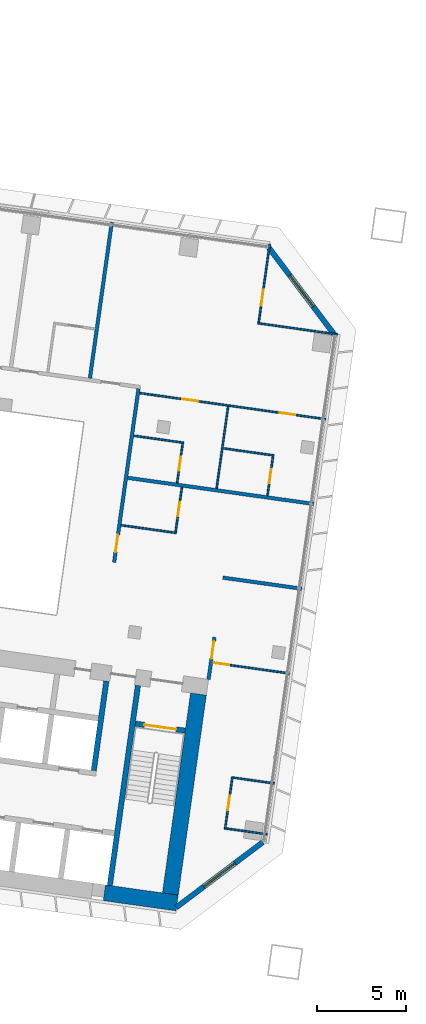
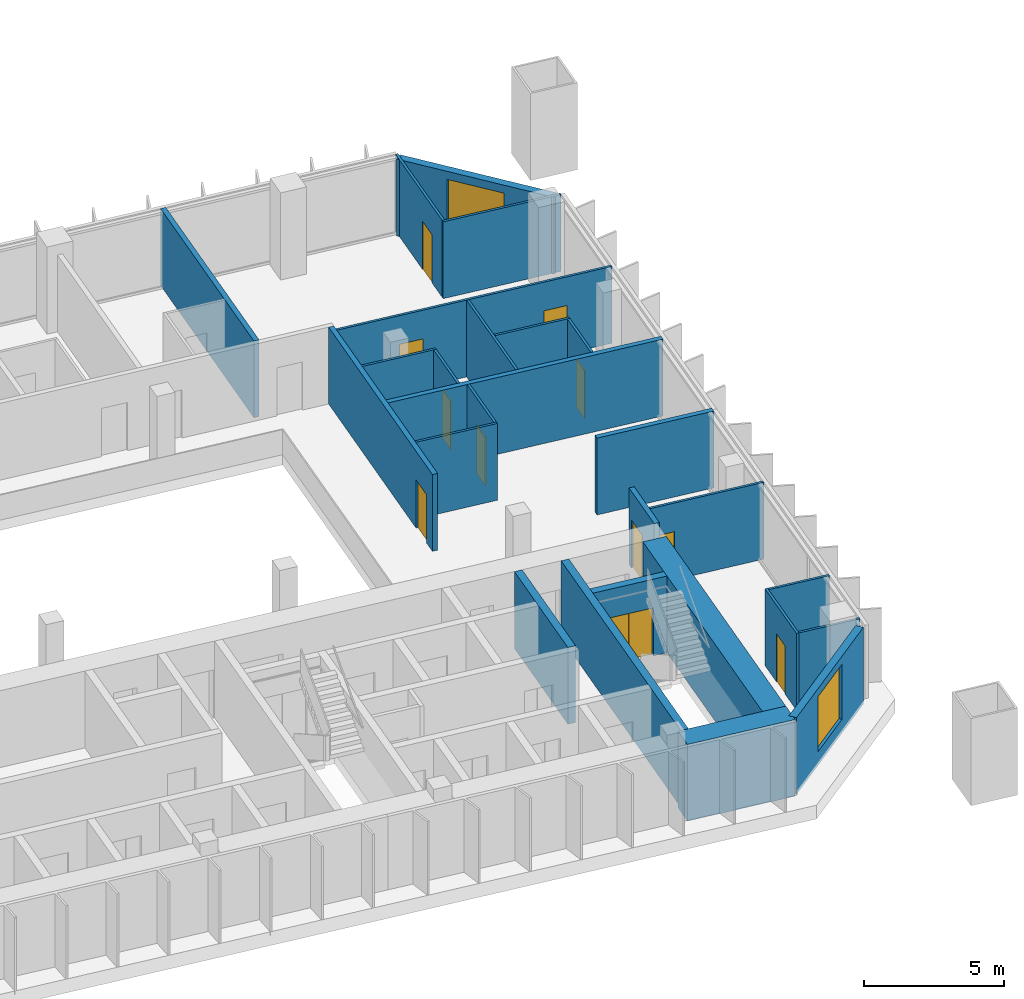
# One storey, part 17 of 24: 26 walls, 11 doors, 2 windows, 13 openings.
"""IFC4 building model written with IfcOpenShell, lengths in metres."""

from ifc_helpers import new_model, si_unit, direction, frame, frame_2d, origin, place, context, subcontext, project, spatial, rectangle, extrude, material, layer, layer_set, type_object, element, fill, save


model = new_model("IFC4")

# Units and contexts
model_context = context("Model", 3, precision=1e-05, world=origin(), true_north=direction((0.0, 1.0)))
body_context = subcontext(model_context, "Body", "Model", "MODEL_VIEW")
ifc_project = project(units=[si_unit("LENGTHUNIT", "METRE"), si_unit("AREAUNIT", "SQUARE_METRE"), si_unit("VOLUMEUNIT", "CUBIC_METRE"), si_unit("PLANEANGLEUNIT", "RADIAN"), si_unit("MASSUNIT", "GRAM", prefix="KILO")], contexts=[model_context])

# Site, building, storey
site_placement = place(None, origin())
site = spatial("IfcSite", under=ifc_project, at=site_placement, CompositionType="ELEMENT")
building_placement = place(site_placement, origin())
building = spatial("IfcBuilding", under=site, at=building_placement, Name="Mirante Cascada Hotel Towers", CompositionType="ELEMENT")
storey_placement = place(building_placement, frame((0.0, 0.0, 47.1)))
storey = spatial("IfcBuildingStorey", under=building, at=storey_placement, Name="L08", CompositionType="ELEMENT", Elevation=47.1)

# Walls
ifc_material_1 = material(Name="Fire-rated plasterboard on metal studs")
ifc_layer_1 = layer(ifc_material_1, 0.2)
ifc_layer_set_1 = layer_set([ifc_layer_1], Name="Compartment wall 200 EI 120")
wall_type_1 = type_object("IfcWallType", Name="Compartment wall 200 EI 120", PredefinedType="PARTITIONING", material=ifc_layer_set_1)
wall_1_placement = place(storey_placement, frame((-34.4562, -1.3737, 0.0), z_axis=(0.0, 0.0, 1.0), x_axis=(0.9902674, -0.1391779, 0.0)))
element("IfcWall", 1, at=wall_1_placement, inside=storey, type_object=wall_type_1, Name="Wall 1-L08-08", PredefinedType="PARTITIONING", context=body_context, shape_type="SweptSolid", body=[
    extrude(rectangle(XDim=4.5, YDim=0.2, at=frame_2d((2.25, 0.0))), origin(), (0.0, 0.0, 1.0), 3.35),
])
wall_2_placement = place(storey_placement, frame((-29.3273, 2.7863, 0.0), z_axis=(0.0, 0.0, 1.0), x_axis=(-0.9902686, 0.1391691, 0.0)))
element("IfcWall", 2, at=wall_2_placement, inside=storey, type_object=wall_type_1, Name="Wall 1-L08-13", PredefinedType="PARTITIONING", context=body_context, shape_type="SweptSolid", body=[
    extrude(rectangle(XDim=10.6001, YDim=0.2, at=frame_2d((5.3, 0.0))), origin(), (0.0, 0.0, 1.0), 3.35),
])

# Wall, opening, door
wall_3_placement = place(storey_placement, frame((-35.2634, -7.1173, 0.0), z_axis=(0.0, 0.0, 1.0), x_axis=(0.1391635, 0.9902694, 0.0)))
wall_3 = element("IfcWall", 3, at=wall_3_placement, inside=storey, type_object=wall_type_1, Name="Wall 1-L08-29", PredefinedType="PARTITIONING", context=body_context, shape_type="SweptSolid", body=[
    extrude(rectangle(XDim=2.4001, YDim=0.2, at=frame_2d((1.2, 0.0))), origin(), (0.0, 0.0, 1.0), 3.35),
])
opening_1_placement = place(wall_3_placement, frame((1.1833, 0.0, 0.0)))
opening_1 = element("IfcOpeningElement", 4, at=opening_1_placement, cuts=wall_3, Name="Opening D1-L08-29", PredefinedType="OPENING", context=body_context, shape_type="SweptSolid", body=[
    extrude(rectangle(XDim=1.0, YDim=2.1, at=frame_2d((0.5, 1.05))), frame((0.0, 0.1, 0.0), z_axis=(0.0, -1.0, 0.0), x_axis=(1.0, 0.0, 0.0)), (0.0, 0.0, 1.0), 0.2),
])
ifc_material_2 = material(Name="Fire-rated timber door leaf", Category="wood")
door_type_1 = type_object("IfcDoorType", Name="Entrance door DG1 1000x2100 EI 60", OperationType="SINGLE_SWING_LEFT", PredefinedType="DOOR", material=ifc_material_2)
door_1_placement = place(opening_1_placement, frame((1.0, 0.0, 0.0), z_axis=(0.0, 0.0, 1.0), x_axis=(-1.0, 0.0, 0.0)))
door_1 = element("IfcDoor", 5, at=door_1_placement, inside=storey, type_object=door_type_1, Name="Door D1-L08-29", OperationType="SINGLE_SWING_RIGHT", OverallHeight=2.1, OverallWidth=1.0, PredefinedType="DOOR", context=body_context, shape_type="SweptSolid", body=[
    extrude(rectangle(XDim=1.0, YDim=2.1, at=frame_2d((0.5, 1.05))), frame((0.0, 0.025, 0.0), z_axis=(0.0, -1.0, 0.0), x_axis=(1.0, 0.0, 0.0)), (0.0, 0.0, 1.0), 0.05),
])
fill(opening_1, door_1)

wall_4_placement = place(storey_placement, frame((-39.2181, 9.2928, 0.0), z_axis=(0.0, 0.0, 1.0), x_axis=(-0.1391725, -0.9902682, 0.0)))
wall_4 = element("IfcWall", 6, at=wall_4_placement, inside=storey, type_object=wall_type_1, Name="Wall 1-L08-34", PredefinedType="PARTITIONING", context=body_context, shape_type="SweptSolid", body=[
    extrude(rectangle(XDim=9.8999, YDim=0.2, at=frame_2d((4.95, 0.0))), origin(), (0.0, 0.0, 1.0), 3.35),
])
opening_2_placement = place(wall_4_placement, frame((8.3333, 0.0, 0.0)))
opening_2 = element("IfcOpeningElement", 7, at=opening_2_placement, cuts=wall_4, Name="Opening D1-L08-33", PredefinedType="OPENING", context=body_context, shape_type="SweptSolid", body=[
    extrude(rectangle(XDim=1.0, YDim=2.1, at=frame_2d((0.5, 1.05))), frame((0.0, 0.1, 0.0), z_axis=(0.0, -1.0, 0.0), x_axis=(1.0, 0.0, 0.0)), (0.0, 0.0, 1.0), 0.2),
])
door_2_placement = place(opening_2_placement, origin())
door_2 = element("IfcDoor", 8, at=door_2_placement, inside=storey, type_object=door_type_1, Name="Door D1-L08-33", OperationType="SINGLE_SWING_LEFT", OverallHeight=2.1, OverallWidth=1.0, PredefinedType="DOOR", context=body_context, shape_type="SweptSolid", body=[
    extrude(rectangle(XDim=1.0, YDim=2.1, at=frame_2d((0.5, 1.05))), frame((0.0, 0.025, 0.0), z_axis=(0.0, -1.0, 0.0), x_axis=(1.0, 0.0, 0.0)), (0.0, 0.0, 1.0), 0.05),
])
fill(opening_2, door_2)

# Walls
wall_5_placement = place(storey_placement, frame((-41.963, 9.8805, 0.0), z_axis=(0.0, 0.0, 1.0), x_axis=(0.1391794, 0.9902672, 0.0)))
element("IfcWall", 9, at=wall_5_placement, inside=storey, type_object=wall_type_1, Name="Wall 1-L08-35", PredefinedType="PARTITIONING", context=body_context, shape_type="SweptSolid", body=[
    extrude(rectangle(XDim=8.9, YDim=0.2, at=frame_2d((4.45, 0.0))), origin(), (0.0, 0.0, 1.0), 3.35),
])
ifc_material_3 = material(Name="Plasterboard on metal studs")
ifc_layer_2 = layer(ifc_material_3, 0.1)
ifc_layer_set_2 = layer_set([ifc_layer_2], Name="Partition 100")
wall_type_2 = type_object("IfcWallType", Name="Partition 100", PredefinedType="PARTITIONING", material=ifc_layer_set_2)
for number, where, z_axis, x_axis, name in (
    (10, (-34.2756, -15.5367, 0.0), (0.0, 0.0, 1.0), (0.9902661, -0.139187, 0.0), "Wall 1-L08-02"),
    (11, (-31.5448, -12.992, 0.0), (0.0, 0.0, 1.0), (-0.9902661, 0.139187, 0.0), "Wall 1-L08-03"),
):
    element("IfcWall", number, at=place(storey_placement, frame(where, z_axis=z_axis, x_axis=x_axis)), inside=storey, type_object=wall_type_2, Name=name, PredefinedType="PARTITIONING", context=body_context, shape_type="SweptSolid", body=[
        extrude(rectangle(XDim=2.3501, YDim=0.1, at=frame_2d((1.175, 0.0))), origin(), (0.0, 0.0, 1.0), 3.35),
    ])

# Wall, opening, door
wall_6_placement = place(storey_placement, frame((-35.0298, -6.1739, 0.0), z_axis=(0.0, 0.0, 1.0), x_axis=(0.9902665, -0.1391841, 0.0)))
wall_6 = element("IfcWall", 12, at=wall_6_placement, inside=storey, type_object=wall_type_2, Name="Wall 1-L08-04", PredefinedType="PARTITIONING", context=body_context, shape_type="SweptSolid", body=[
    extrude(rectangle(XDim=4.3999, YDim=0.1, at=frame_2d((2.2, 0.0))), origin(), (0.0, 0.0, 1.0), 3.35),
])
opening_3_placement = place(wall_6_placement, frame((0.05, 0.0, 0.0)))
opening_3 = element("IfcOpeningElement", 13, at=opening_3_placement, cuts=wall_6, Name="Opening D1-L08-02", PredefinedType="OPENING", context=body_context, shape_type="SweptSolid", body=[
    extrude(rectangle(XDim=0.9, YDim=2.1, at=frame_2d((0.45, 1.05))), frame((0.0, 0.05, 0.0), z_axis=(0.0, -1.0, 0.0), x_axis=(1.0, 0.0, 0.0)), (0.0, 0.0, 1.0), 0.1),
])
ifc_material_4 = material(Name="Timber door leaf", Category="wood")
door_type_2 = type_object("IfcDoorType", Name="Room door DG3 900x2100", OperationType="SINGLE_SWING_LEFT", PredefinedType="DOOR", material=ifc_material_4)
door_3_placement = place(opening_3_placement, frame((0.9, 0.0, 0.0), z_axis=(0.0, 0.0, 1.0), x_axis=(-1.0, 0.0, 0.0)))
door_3 = element("IfcDoor", 14, at=door_3_placement, inside=storey, type_object=door_type_2, Name="Door D1-L08-02", OperationType="SINGLE_SWING_RIGHT", OverallHeight=2.1, OverallWidth=0.9, PredefinedType="DOOR", context=body_context, shape_type="SweptSolid", body=[
    extrude(rectangle(XDim=0.9, YDim=2.1, at=frame_2d((0.45, 1.05))), frame((0.0, 0.025, 0.0), z_axis=(0.0, -1.0, 0.0), x_axis=(1.0, 0.0, 0.0)), (0.0, 0.0, 1.0), 0.05),
])
fill(opening_3, door_3)

# Walls
wall_7_placement = place(storey_placement, frame((-40.1999, 1.5878, 0.0), z_axis=(0.0, 0.0, 1.0), x_axis=(0.9902676, -0.1391765, 0.0)))
element("IfcWall", 15, at=wall_7_placement, inside=storey, type_object=wall_type_2, Name="Wall 1-L08-10", PredefinedType="PARTITIONING", context=body_context, shape_type="SweptSolid", body=[
    extrude(rectangle(XDim=3.15, YDim=0.1, at=frame_2d((1.575, 0.0))), origin(), (0.0, 0.0, 1.0), 3.35),
])
wall_8_placement = place(storey_placement, frame((-31.568, 5.5248, 0.0), z_axis=(0.0, 0.0, 1.0), x_axis=(-0.9902683, 0.1391714, 0.0)))
element("IfcWall", 16, at=wall_8_placement, inside=storey, type_object=wall_type_2, Name="Wall 1-L08-15", PredefinedType="PARTITIONING", context=body_context, shape_type="SweptSolid", body=[
    extrude(rectangle(XDim=2.9, YDim=0.1, at=frame_2d((1.45, 0.0))), origin(), (0.0, 0.0, 1.0), 3.35),
])
wall_9_placement = place(storey_placement, frame((-39.4902, 6.6381, 0.0), z_axis=(0.0, 0.0, 1.0), x_axis=(0.9902704, -0.1391564, 0.0)))
element("IfcWall", 17, at=wall_9_placement, inside=storey, type_object=wall_type_2, Name="Wall 1-L08-16", PredefinedType="PARTITIONING", context=body_context, shape_type="SweptSolid", body=[
    extrude(rectangle(XDim=2.85, YDim=0.1, at=frame_2d((1.425, 0.0))), origin(), (0.0, 0.0, 1.0), 3.35),
])

# Wall, openings, doors
wall_10_placement = place(storey_placement, frame((-28.6547, 7.5726, 0.0), z_axis=(0.0, 0.0, 1.0), x_axis=(-0.9902671, 0.1391797, 0.0)))
wall_10 = element("IfcWall", 18, at=wall_10_placement, inside=storey, type_object=wall_type_2, Name="Wall 1-L08-17", PredefinedType="PARTITIONING", context=body_context, shape_type="SweptSolid", body=[
    extrude(rectangle(XDim=10.6, YDim=0.1, at=frame_2d((5.3, 0.0))), origin(), (0.0, 0.0, 1.0), 3.35),
])
opening_4_placement = place(wall_10_placement, frame((1.725, 0.0, 0.0)))
opening_4 = element("IfcOpeningElement", 19, at=opening_4_placement, cuts=wall_10, Name="Opening D1-L08-07", PredefinedType="OPENING", context=body_context, shape_type="SweptSolid", body=[
    extrude(rectangle(XDim=0.9, YDim=2.1, at=frame_2d((0.45, 1.05))), frame((0.0, 0.05, 0.0), z_axis=(0.0, -1.0, 0.0), x_axis=(1.0, 0.0, 0.0)), (0.0, 0.0, 1.0), 0.1),
])
opening_5_placement = place(wall_10_placement, frame((7.275, 0.0, 0.0)))
opening_5 = element("IfcOpeningElement", 20, at=opening_5_placement, cuts=wall_10, Name="Opening D1-L08-08", PredefinedType="OPENING", context=body_context, shape_type="SweptSolid", body=[
    extrude(rectangle(XDim=0.9, YDim=2.1, at=frame_2d((0.45, 1.05))), frame((0.0, 0.05, 0.0), z_axis=(0.0, -1.0, 0.0), x_axis=(1.0, 0.0, 0.0)), (0.0, 0.0, 1.0), 0.1),
])
door_4_placement = place(opening_4_placement, frame((0.9, 0.0, 0.0), z_axis=(0.0, 0.0, 1.0), x_axis=(-1.0, 0.0, 0.0)))
door_4 = element("IfcDoor", 21, at=door_4_placement, inside=storey, type_object=door_type_2, Name="Door D1-L08-07", OperationType="SINGLE_SWING_RIGHT", OverallHeight=2.1, OverallWidth=0.9, PredefinedType="DOOR", context=body_context, shape_type="SweptSolid", body=[
    extrude(rectangle(XDim=0.9, YDim=2.1, at=frame_2d((0.45, 1.05))), frame((0.0, 0.025, 0.0), z_axis=(0.0, -1.0, 0.0), x_axis=(1.0, 0.0, 0.0)), (0.0, 0.0, 1.0), 0.05),
])
fill(opening_4, door_4)
door_5_placement = place(opening_5_placement, frame((0.9, 0.0, 0.0), z_axis=(0.0, 0.0, 1.0), x_axis=(-1.0, 0.0, 0.0)))
door_5 = element("IfcDoor", 22, at=door_5_placement, inside=storey, type_object=door_type_2, Name="Door D1-L08-08", OperationType="SINGLE_SWING_RIGHT", OverallHeight=2.1, OverallWidth=0.9, PredefinedType="DOOR", context=body_context, shape_type="SweptSolid", body=[
    extrude(rectangle(XDim=0.9, YDim=2.1, at=frame_2d((0.45, 1.05))), frame((0.0, 0.025, 0.0), z_axis=(0.0, -1.0, 0.0), x_axis=(1.0, 0.0, 0.0)), (0.0, 0.0, 1.0), 0.05),
])
fill(opening_5, door_5)

# Wall
wall_11_placement = place(storey_placement, frame((-32.4877, 12.9921, 0.0), z_axis=(0.0, 0.0, 1.0), x_axis=(0.9902691, -0.1391656, 0.0)))
element("IfcWall", 23, at=wall_11_placement, inside=storey, type_object=wall_type_2, Name="Wall 1-L08-26", PredefinedType="PARTITIONING", context=body_context, shape_type="SweptSolid", body=[
    extrude(rectangle(XDim=4.55, YDim=0.1, at=frame_2d((2.275, 0.0))), origin(), (0.0, 0.0, 1.0), 3.35),
])

# Wall, opening, door
wall_12_placement = place(storey_placement, frame((-34.332, -15.5793, 0.0), z_axis=(0.0, 0.0, 1.0), x_axis=(0.1391624, 0.9902696, 0.0)))
wall_12 = element("IfcWall", 24, at=wall_12_placement, inside=storey, type_object=wall_type_2, Name="Wall 1-L08-27", PredefinedType="PARTITIONING", context=body_context, shape_type="SweptSolid", body=[
    extrude(rectangle(XDim=3.0001, YDim=0.1, at=frame_2d((1.5001, 0.0))), origin(), (0.0, 0.0, 1.0), 3.35),
])
opening_6_placement = place(wall_12_placement, frame((1.1, 0.0, 0.0)))
opening_6 = element("IfcOpeningElement", 25, at=opening_6_placement, cuts=wall_12, Name="Opening D1-L08-27", PredefinedType="OPENING", context=body_context, shape_type="SweptSolid", body=[
    extrude(rectangle(XDim=0.8, YDim=2.1, at=frame_2d((0.4, 1.05))), frame((0.0, 0.05, 0.0), z_axis=(0.0, -1.0, 0.0), x_axis=(1.0, 0.0, 0.0)), (0.0, 0.0, 1.0), 0.1),
])
ifc_material_5 = material(Name="Timber door leaf", Category="wood")
door_type_3 = type_object("IfcDoorType", Name="Bathroom door DG4 800x2100", OperationType="SINGLE_SWING_LEFT", PredefinedType="DOOR", material=ifc_material_5)
door_6_placement = place(opening_6_placement, origin())
door_6 = element("IfcDoor", 26, at=door_6_placement, inside=storey, type_object=door_type_3, Name="Door D1-L08-27", OperationType="SINGLE_SWING_LEFT", OverallHeight=2.1, OverallWidth=0.8, PredefinedType="DOOR", context=body_context, shape_type="SweptSolid", body=[
    extrude(rectangle(XDim=0.8, YDim=2.1, at=frame_2d((0.4, 1.05))), frame((0.0, 0.025, 0.0), z_axis=(0.0, -1.0, 0.0), x_axis=(1.0, 0.0, 0.0)), (0.0, 0.0, 1.0), 0.05),
])
fill(opening_6, door_6)

wall_13_placement = place(storey_placement, frame((-31.6245, 5.4822, 0.0), z_axis=(0.0, 0.0, 1.0), x_axis=(-0.1391561, -0.9902705, 0.0)))
wall_13 = element("IfcWall", 27, at=wall_13_placement, inside=storey, type_object=wall_type_2, Name="Wall 1-L08-28", PredefinedType="PARTITIONING", context=body_context, shape_type="SweptSolid", body=[
    extrude(rectangle(XDim=2.25, YDim=0.1, at=frame_2d((1.125, 0.0))), origin(), (0.0, 0.0, 1.0), 3.35),
])
opening_7_placement = place(wall_13_placement, frame((0.75, 0.0, 0.0)))
opening_7 = element("IfcOpeningElement", 28, at=opening_7_placement, cuts=wall_13, Name="Opening D1-L08-28", PredefinedType="OPENING", context=body_context, shape_type="SweptSolid", body=[
    extrude(rectangle(XDim=0.8, YDim=2.1, at=frame_2d((0.4, 1.05))), frame((0.0, 0.05, 0.0), z_axis=(0.0, -1.0, 0.0), x_axis=(1.0, 0.0, 0.0)), (0.0, 0.0, 1.0), 0.1),
])
door_7_placement = place(opening_7_placement, frame((0.8, 0.0, 0.0), z_axis=(0.0, 0.0, 1.0), x_axis=(-1.0, 0.0, 0.0)))
door_7 = element("IfcDoor", 29, at=door_7_placement, inside=storey, type_object=door_type_3, Name="Door D1-L08-28", OperationType="SINGLE_SWING_RIGHT", OverallHeight=2.1, OverallWidth=0.8, PredefinedType="DOOR", context=body_context, shape_type="SweptSolid", body=[
    extrude(rectangle(XDim=0.8, YDim=2.1, at=frame_2d((0.4, 1.05))), frame((0.0, 0.025, 0.0), z_axis=(0.0, -1.0, 0.0), x_axis=(1.0, 0.0, 0.0)), (0.0, 0.0, 1.0), 0.05),
])
fill(opening_7, door_7)

wall_14_placement = place(storey_placement, frame((-31.8119, 17.4414, 0.0), z_axis=(0.0, 0.0, 1.0), x_axis=(-0.1391684, -0.9902687, 0.0)))
wall_14 = element("IfcWall", 30, at=wall_14_placement, inside=storey, type_object=wall_type_2, Name="Wall 1-L08-30", PredefinedType="PARTITIONING", context=body_context, shape_type="SweptSolid", body=[
    extrude(rectangle(XDim=4.45, YDim=0.1, at=frame_2d((2.225, 0.0))), origin(), (0.0, 0.0, 1.0), 3.35),
])
opening_8_placement = place(wall_14_placement, frame((2.5833, 0.0, 0.0)))
opening_8 = element("IfcOpeningElement", 31, at=opening_8_placement, cuts=wall_14, Name="Opening D1-L08-30", PredefinedType="OPENING", context=body_context, shape_type="SweptSolid", body=[
    extrude(rectangle(XDim=0.9, YDim=2.1, at=frame_2d((0.45, 1.05))), frame((0.0, 0.05, 0.0), z_axis=(0.0, -1.0, 0.0), x_axis=(1.0, 0.0, 0.0)), (0.0, 0.0, 1.0), 0.1),
])
door_8_placement = place(opening_8_placement, frame((0.9, 0.0, 0.0), z_axis=(0.0, 0.0, 1.0), x_axis=(-1.0, 0.0, 0.0)))
door_8 = element("IfcDoor", 32, at=door_8_placement, inside=storey, type_object=door_type_2, Name="Door D1-L08-30", OperationType="SINGLE_SWING_RIGHT", OverallHeight=2.1, OverallWidth=0.9, PredefinedType="DOOR", context=body_context, shape_type="SweptSolid", body=[
    extrude(rectangle(XDim=0.9, YDim=2.1, at=frame_2d((0.45, 1.05))), frame((0.0, 0.025, 0.0), z_axis=(0.0, -1.0, 0.0), x_axis=(1.0, 0.0, 0.0)), (0.0, 0.0, 1.0), 0.05),
])
fill(opening_8, door_8)

# Wall
wall_15_placement = place(storey_placement, frame((-34.8094, 3.6577, 0.0), z_axis=(0.0, 0.0, 1.0), x_axis=(0.139173, 0.9902681, 0.0)))
element("IfcWall", 33, at=wall_15_placement, inside=storey, type_object=wall_type_2, Name="Wall 1-L08-31", PredefinedType="PARTITIONING", context=body_context, shape_type="SweptSolid", body=[
    extrude(rectangle(XDim=4.6834, YDim=0.1, at=frame_2d((2.3417, 0.0))), origin(), (0.0, 0.0, 1.0), 3.35),
])

# Wall, opening, door
wall_16_placement = place(storey_placement, frame((-36.7683, 3.731, 0.0), z_axis=(0.0, 0.0, 1.0), x_axis=(-0.1391809, -0.990267, 0.0)))
wall_16 = element("IfcWall", 34, at=wall_16_placement, inside=storey, type_object=wall_type_2, Name="Wall 1-L08-32", PredefinedType="PARTITIONING", context=body_context, shape_type="SweptSolid", body=[
    extrude(rectangle(XDim=2.5499, YDim=0.1, at=frame_2d((1.275, 0.0))), origin(), (0.0, 0.0, 1.0), 3.35),
])
opening_9_placement = place(wall_16_placement, frame((0.85, 0.0, 0.0)))
opening_9 = element("IfcOpeningElement", 35, at=opening_9_placement, cuts=wall_16, Name="Opening D1-L08-31", PredefinedType="OPENING", context=body_context, shape_type="SweptSolid", body=[
    extrude(rectangle(XDim=0.8, YDim=2.1, at=frame_2d((0.4, 1.05))), frame((0.0, 0.05, 0.0), z_axis=(0.0, -1.0, 0.0), x_axis=(1.0, 0.0, 0.0)), (0.0, 0.0, 1.0), 0.1),
])
door_9_placement = place(opening_9_placement, origin())
door_9 = element("IfcDoor", 36, at=door_9_placement, inside=storey, type_object=door_type_3, Name="Door D1-L08-31", OperationType="SINGLE_SWING_LEFT", OverallHeight=2.1, OverallWidth=0.8, PredefinedType="DOOR", context=body_context, shape_type="SweptSolid", body=[
    extrude(rectangle(XDim=0.8, YDim=2.1, at=frame_2d((0.4, 1.05))), frame((0.0, 0.025, 0.0), z_axis=(0.0, -1.0, 0.0), x_axis=(1.0, 0.0, 0.0)), (0.0, 0.0, 1.0), 0.05),
])
fill(opening_9, door_9)

wall_17_placement = place(storey_placement, frame((-37.0375, 3.9708, 0.0), z_axis=(0.0, 0.0, 1.0), x_axis=(0.1391561, 0.9902705, 0.0)))
wall_17 = element("IfcWall", 37, at=wall_17_placement, inside=storey, type_object=wall_type_2, Name="Wall 1-L08-33", PredefinedType="PARTITIONING", context=body_context, shape_type="SweptSolid", body=[
    extrude(rectangle(XDim=2.25, YDim=0.1, at=frame_2d((1.125, 0.0))), origin(), (0.0, 0.0, 1.0), 3.35),
])
opening_10_placement = place(wall_17_placement, frame((0.7, 0.0, 0.0)))
opening_10 = element("IfcOpeningElement", 38, at=opening_10_placement, cuts=wall_17, Name="Opening D1-L08-32", PredefinedType="OPENING", context=body_context, shape_type="SweptSolid", body=[
    extrude(rectangle(XDim=0.8, YDim=2.1, at=frame_2d((0.4, 1.05))), frame((0.0, 0.05, 0.0), z_axis=(0.0, -1.0, 0.0), x_axis=(1.0, 0.0, 0.0)), (0.0, 0.0, 1.0), 0.1),
])
door_10_placement = place(opening_10_placement, origin())
door_10 = element("IfcDoor", 39, at=door_10_placement, inside=storey, type_object=door_type_3, Name="Door D1-L08-32", OperationType="SINGLE_SWING_LEFT", OverallHeight=2.1, OverallWidth=0.8, PredefinedType="DOOR", context=body_context, shape_type="SweptSolid", body=[
    extrude(rectangle(XDim=0.8, YDim=2.1, at=frame_2d((0.4, 1.05))), frame((0.0, 0.025, 0.0), z_axis=(0.0, -1.0, 0.0), x_axis=(1.0, 0.0, 0.0)), (0.0, 0.0, 1.0), 0.05),
])
fill(opening_10, door_10)

# Wall, opening, window
ifc_material_6 = material(Name="Precast concrete C40/50", Category="concrete")
ifc_layer_3 = layer(ifc_material_6, 0.3)
ifc_layer_set_3 = layer_set([ifc_layer_3], Name="Precast concrete C40/50 cladding wall 300")
wall_type_3 = type_object("IfcWallType", Name="Precast concrete C40/50 cladding wall 300", PredefinedType="STANDARD", material=ifc_layer_set_3)
wall_18_placement = place(storey_placement, frame((-31.857, 17.252, 0.0), z_axis=(0.0, 0.0, 1.0), x_axis=(0.6018141, -0.7986362, 0.0)))
wall_18 = element("IfcWall", 40, at=wall_18_placement, inside=storey, type_object=wall_type_3, Name="Corner cladding wall T1 L08 front inner", PredefinedType="STANDARD", context=body_context, shape_type="SweptSolid", body=[
    extrude(rectangle(XDim=6.1157, YDim=0.3, at=frame_2d((3.0578, 0.0))), origin(), (0.0, 0.0, 1.0), 3.35),
])
opening_11_placement = place(wall_18_placement, frame((1.9578, 0.0, 0.6)))
opening_11 = element("IfcOpeningElement", 41, at=opening_11_placement, cuts=wall_18, Name="Opening W1-08-04", PredefinedType="OPENING", context=body_context, shape_type="SweptSolid", body=[
    extrude(rectangle(XDim=2.2, YDim=2.4, at=frame_2d((1.1, 1.2))), frame((0.0, 0.15, 0.0), z_axis=(0.0, -1.0, 0.0), x_axis=(1.0, 0.0, 0.0)), (0.0, 0.0, 1.0), 0.3),
])
ifc_material_7 = material(Name="Aluminium frame with clear double glazing", Category="aluminium")
window_type = type_object("IfcWindowType", Name="Corner suite window 2200x2400", PartitioningType="DOUBLE_PANEL_VERTICAL", PredefinedType="WINDOW", material=ifc_material_7)
window_1_placement = place(opening_11_placement, origin())
window_1 = element("IfcWindow", 42, at=window_1_placement, inside=storey, type_object=window_type, Name="Window W1-08-04", OverallHeight=2.4, OverallWidth=2.2, PartitioningType="SINGLE_PANEL", PredefinedType="WINDOW", context=body_context, shape_type="SweptSolid", body=[
    extrude(rectangle(XDim=2.2, YDim=2.4, at=frame_2d((1.1, 1.2))), frame((0.0, 0.03, 0.0), z_axis=(0.0, -1.0, 0.0), x_axis=(1.0, 0.0, 0.0)), (0.0, 0.0, 1.0), 0.06),
])
fill(opening_11, window_1)

wall_19_placement = place(storey_placement, frame((-32.2074, -16.3138, 0.0), z_axis=(0.0, 0.0, 1.0), x_axis=(-0.7986362, -0.6018141, 0.0)))
wall_19 = element("IfcWall", 43, at=wall_19_placement, inside=storey, type_object=wall_type_3, Name="Corner cladding wall T1 L08 inner rear", PredefinedType="STANDARD", context=body_context, shape_type="SweptSolid", body=[
    extrude(rectangle(XDim=6.1157, YDim=0.3, at=frame_2d((3.0578, 0.0))), origin(), (0.0, 0.0, 1.0), 3.35),
])
opening_12_placement = place(wall_19_placement, frame((1.9578, 0.0, 0.6)))
opening_12 = element("IfcOpeningElement", 44, at=opening_12_placement, cuts=wall_19, Name="Opening W1-08-05", PredefinedType="OPENING", context=body_context, shape_type="SweptSolid", body=[
    extrude(rectangle(XDim=2.2, YDim=2.4, at=frame_2d((1.1, 1.2))), frame((0.0, 0.15, 0.0), z_axis=(0.0, -1.0, 0.0), x_axis=(1.0, 0.0, 0.0)), (0.0, 0.0, 1.0), 0.3),
])
window_2_placement = place(opening_12_placement, origin())
window_2 = element("IfcWindow", 45, at=window_2_placement, inside=storey, type_object=window_type, Name="Window W1-08-05", OverallHeight=2.4, OverallWidth=2.2, PartitioningType="SINGLE_PANEL", PredefinedType="WINDOW", context=body_context, shape_type="SweptSolid", body=[
    extrude(rectangle(XDim=2.2, YDim=2.4, at=frame_2d((1.1, 1.2))), frame((0.0, 0.03, 0.0), z_axis=(0.0, -1.0, 0.0), x_axis=(1.0, 0.0, 0.0)), (0.0, 0.0, 1.0), 0.06),
])
fill(opening_12, window_2)

# Wall
ifc_material_8 = material(Name="Concrete C50/60", Category="concrete")
ifc_layer_4 = layer(ifc_material_8, 0.3)
ifc_layer_set_4 = layer_set([ifc_layer_4], Name="RC core wall 300 C50/60")
wall_type_4 = type_object("IfcWallType", Name="RC core wall 300 C50/60", PredefinedType="SHEAR", material=ifc_layer_set_4)
wall_20_placement = place(storey_placement, frame((-40.8373, -18.7548, 0.0), z_axis=(0.0, 0.0, 1.0), x_axis=(0.1391749, 0.9902678, 0.0)))
element("IfcWall", 46, at=wall_20_placement, inside=storey, type_object=wall_type_4, Name="Core wall T1:L08:5", PredefinedType="SHEAR", context=body_context, shape_type="SweptSolid", body=[
    extrude(rectangle(XDim=11.4, YDim=0.3, at=frame_2d((5.7, 0.0))), origin(), (0.0, 0.0, 1.0), 3.35),
])

# Wall, opening, door
wall_21_placement = place(storey_placement, frame((-36.5791, -10.0123, 0.0), z_axis=(0.0, 0.0, 1.0), x_axis=(-0.9902704, 0.1391564, 0.0)))
wall_21 = element("IfcWall", 47, at=wall_21_placement, inside=storey, type_object=wall_type_4, Name="Core wall T1:L08:9", PredefinedType="SHEAR", context=body_context, shape_type="SweptSolid", body=[
    extrude(rectangle(XDim=2.85, YDim=0.3, at=frame_2d((1.425, 0.0))), origin(), (0.0, 0.0, 1.0), 3.35),
])
opening_13_placement = place(wall_21_placement, frame((0.525, 0.0, 0.0)))
opening_13 = element("IfcOpeningElement", 48, at=opening_13_placement, cuts=wall_21, Name="Opening D1-08-C13", PredefinedType="OPENING", context=body_context, shape_type="SweptSolid", body=[
    extrude(rectangle(XDim=1.8, YDim=2.1, at=frame_2d((0.9, 1.05))), frame((0.0, 0.15, 0.0), z_axis=(0.0, -1.0, 0.0), x_axis=(1.0, 0.0, 0.0)), (0.0, 0.0, 1.0), 0.3),
])
ifc_material_9 = material(Name="Hollow metal fire door leaf")
door_type_4 = type_object("IfcDoorType", Name="Double fire door 1800x2100 FD60", OperationType="DOUBLE_DOOR_SINGLE_SWING", PredefinedType="DOOR", material=ifc_material_9)
door_11_placement = place(opening_13_placement, origin())
door_11 = element("IfcDoor", 49, at=door_11_placement, inside=storey, type_object=door_type_4, Name="Stair door T1 L08 13", OperationType="DOUBLE_DOOR_SINGLE_SWING", OverallHeight=2.1, OverallWidth=1.8, PredefinedType="DOOR", context=body_context, shape_type="SweptSolid", body=[
    extrude(rectangle(XDim=0.895, YDim=2.1, at=frame_2d((0.4475, 1.05))), frame((0.0, 0.025, 0.0), z_axis=(0.0, -1.0, 0.0), x_axis=(1.0, 0.0, 0.0)), (0.0, 0.0, 1.0), 0.05),
    extrude(rectangle(XDim=0.895, YDim=2.1, at=frame_2d((1.3525, 1.05))), frame((0.0, 0.025, 0.0), z_axis=(0.0, -1.0, 0.0), x_axis=(1.0, 0.0, 0.0)), (0.0, 0.0, 1.0), 0.05),
])
fill(opening_13, door_11)

# Walls
wall_22_placement = place(storey_placement, frame((-41.743, -12.2656, 0.0), z_axis=(0.0, 0.0, 1.0), x_axis=(0.1391755, 0.9902677, 0.0)))
element("IfcWall", 50, at=wall_22_placement, inside=storey, type_object=wall_type_4, Name="Core wall T1:L08:20", PredefinedType="SHEAR", context=body_context, shape_type="SweptSolid", body=[
    extrude(rectangle(XDim=5.1, YDim=0.3, at=frame_2d((2.55, 0.0))), origin(), (0.0, 0.0, 1.0), 3.35),
])
ifc_material_10 = material(Name="Concrete C50/60", Category="concrete")
ifc_layer_5 = layer(ifc_material_10, 0.9)
ifc_layer_set_5 = layer_set([ifc_layer_5], Name="RC core wall 900 C50/60")
wall_type_5 = type_object("IfcWallType", Name="RC core wall 900 C50/60", PredefinedType="SHEAR", material=ifc_layer_set_5)
wall_23_placement = place(storey_placement, frame((-37.0379, -19.7432, 0.0), z_axis=(0.0, 0.0, 1.0), x_axis=(-0.990267, 0.139181, 0.0)))
element("IfcWall", 51, at=wall_23_placement, inside=storey, type_object=wall_type_5, Name="Core wall T1:L08:1.1", PredefinedType="SHEAR", context=body_context, shape_type="SweptSolid", body=[
    extrude(rectangle(XDim=4.15, YDim=0.9, at=frame_2d((2.075, 0.0))), origin(), (0.0, 0.0, 1.0), 3.35),
])
wall_24_placement = place(storey_placement, frame((-37.4209, -19.2349, 0.0), z_axis=(0.0, 0.0, 1.0), x_axis=(0.1391761, 0.9902677, 0.0)))
element("IfcWall", 52, at=wall_24_placement, inside=storey, type_object=wall_type_5, Name="Core wall T1:L08:3", PredefinedType="SHEAR", context=body_context, shape_type="SweptSolid", body=[
    extrude(rectangle(XDim=11.3999, YDim=0.9, at=frame_2d((5.7, 0.0))), origin(), (0.0, 0.0, 1.0), 3.35),
])

save(model, "model.ifc")
